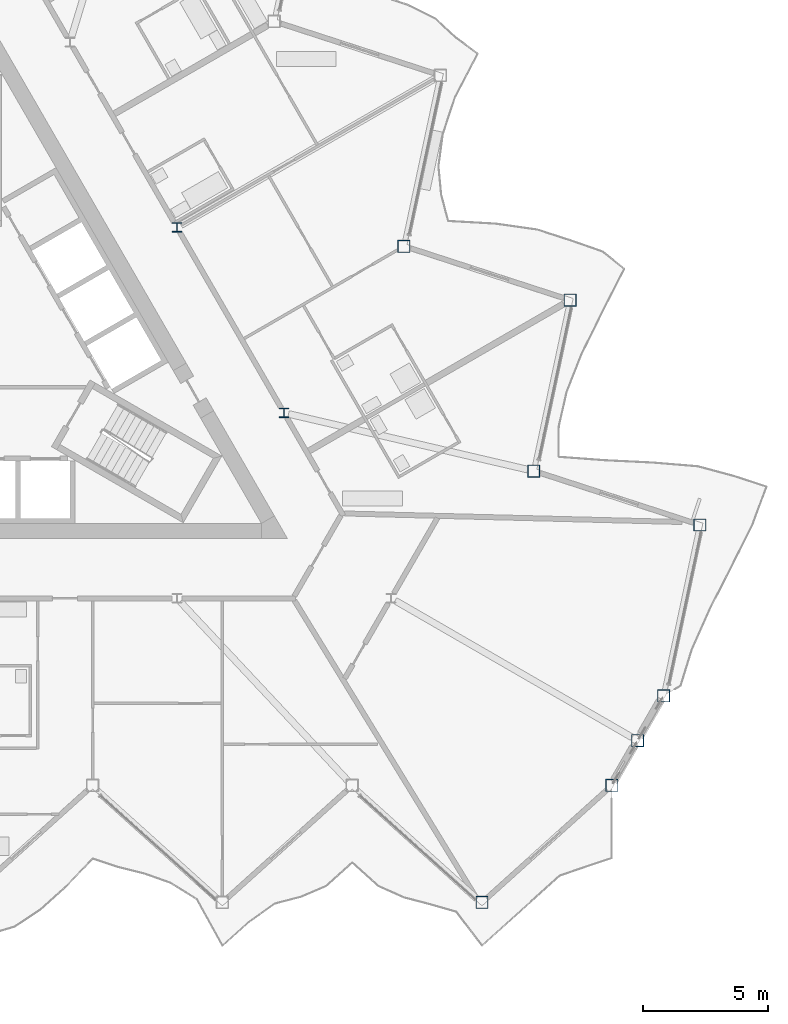
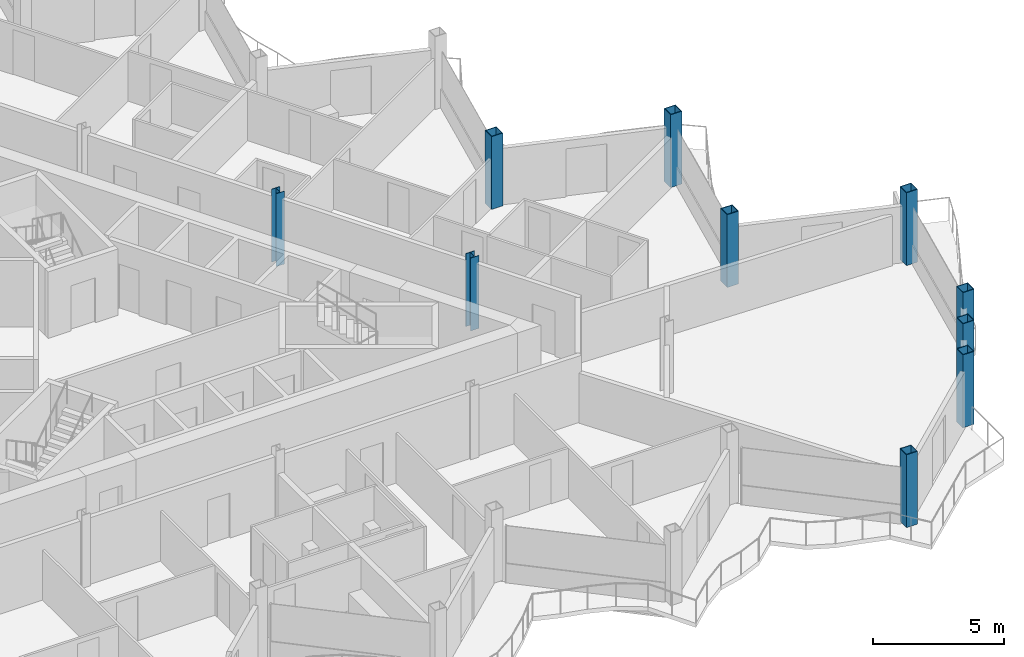
# One storey, part 2 of 26: 10 columns.
"""IFC4 building model written with IfcOpenShell, lengths in metres."""

from ifc_helpers import new_model, si_unit, direction, frame, origin, origin_2d, place, context, subcontext, project, spatial, hollow_rectangle, i_section, extrude, material, material_profile, profile_set, type_object, element, save


model = new_model("IFC4")

# Units and contexts
model_context = context("Model", 3, precision=1e-05, world=origin(), true_north=direction((0.0, 1.0)))
body_context = subcontext(model_context, "Body", "Model", "MODEL_VIEW")
ifc_project = project(units=[si_unit("LENGTHUNIT", "METRE"), si_unit("AREAUNIT", "SQUARE_METRE"), si_unit("VOLUMEUNIT", "CUBIC_METRE"), si_unit("PLANEANGLEUNIT", "RADIAN"), si_unit("MASSUNIT", "GRAM", prefix="KILO")], contexts=[model_context])

# Site, building, storey
site_placement = place(None, origin())
site = spatial("IfcSite", under=ifc_project, at=site_placement, CompositionType="ELEMENT")
building_placement = place(site_placement, origin())
building = spatial("IfcBuilding", under=site, at=building_placement, Name="Cormorant Prow Tower", CompositionType="ELEMENT")
storey_placement = place(building_placement, frame((0.0, 0.0, 398.39990234375)))
storey = spatial("IfcBuildingStorey", under=building, at=storey_placement, Name="L91", CompositionType="ELEMENT", Elevation=398.39990234375)

# Columns
ifc_material_1 = material(Name="Structural steel ASTM A572 Gr 50", Category="steel")
ifc_material_profile_1 = material_profile(ifc_material_1, hollow_rectangle(XDim=0.5, YDim=0.5, WallThickness=0.030029296875, at=origin_2d()), Name="Box 500x500x30")
ifc_profile_set_1 = profile_set([ifc_material_profile_1], Name="Structural steel ASTM A572 Gr 50")
column_type_1 = type_object("IfcColumnType", Name="Perimeter box column 500x500x30", PredefinedType="COLUMN", material=ifc_profile_set_1)
for number, where, z_axis, x_axis, name in (
    (1, (20.800048828125, -22.087890625, 0.0), (0.0, 0.0, 1.0), (1.0, 0.0, 0.0), "Perimeter column C7 at S09 L91"),
    (2, (26.0, -17.40576171875, 0.0), (0.0, 0.0, 1.0), (1.0, 0.0, 0.0), "Perimeter column C7 at ESE00 L91"),
    (3, (27.036865234375, -15.60986328125, 0.0), (0.0, 0.0, 1.0), (1.0, 0.0, 0.0), "Perimeter column C7 at ESE01 L91"),
    (4, (28.07373046875, -13.813720703125, 0.0), (0.0, 0.0, 1.0), (1.0, 0.0, 0.0), "Perimeter column C7 at ENE00 L91"),
    (5, (29.528564453125, -6.969482421875, 0.0), (0.0, 0.0, 1.0), (1.0, 0.0, 0.0), "Perimeter column C7 at ENE01 L91"),
    (6, (22.873779296875, -4.80712890625, 0.0), (0.0, 0.0, 1.0), (1.0, 0.0, 0.0), "Perimeter column C7 at ENE02 L91"),
    (7, (24.32861328125, 2.037353515625, 0.0), (0.0, 0.0, 1.0), (1.0, 0.0, 0.0), "Perimeter column C7 at ENE03 L91"),
    (8, (17.673828125, 4.199462890625, 0.0), (0.0, 0.0, 1.0), (1.0, 0.0, 0.0), "Perimeter column C7 at ENE04 L91"),
):
    element("IfcColumn", number, at=place(storey_placement, frame(where, z_axis=z_axis, x_axis=x_axis)), inside=storey, type_object=column_type_1, Name=name, PredefinedType="COLUMN", context=body_context, shape_type="SweptSolid", body=[
        extrude(hollow_rectangle(XDim=0.5, YDim=0.5, WallThickness=0.030029296875, at=origin_2d()), origin(), (0.0, 0.0, 1.0), 3.400146484375),
    ])
ifc_material_2 = material(Name="Structural steel ASTM A992 Gr 50", Category="steel")
ifc_material_profile_2 = material_profile(ifc_material_2, i_section(OverallWidth=0.3740234375, OverallDepth=0.372314453125, WebThickness=0.016357421875, FlangeThickness=0.026123046875, at=origin_2d()), Name="W14x132")
ifc_profile_set_2 = profile_set([ifc_material_profile_2], Name="Structural steel ASTM A992 Gr 50")
column_type_2 = type_object("IfcColumnType", Name="Ring column W14x132", PredefinedType="COLUMN", material=ifc_profile_set_2)
for number, where, z_axis, x_axis, name in (
    (9, (12.86767578125, -2.476318359375, 0.0), (0.0, 0.0, 1.0), (1.0, 0.0, 0.0), "Ring column 10 L91"),
    (10, (8.578369140625, 4.952880859375, 0.0), (0.0, 0.0, 1.0), (1.0, 0.0, 0.0), "Ring column 11 L91"),
):
    element("IfcColumn", number, at=place(storey_placement, frame(where, z_axis=z_axis, x_axis=x_axis)), inside=storey, type_object=column_type_2, Name=name, PredefinedType="COLUMN", context=body_context, shape_type="SweptSolid", body=[
        extrude(i_section(OverallWidth=0.3740234375, OverallDepth=0.372314453125, WebThickness=0.016357421875, FlangeThickness=0.026123046875, at=origin_2d()), origin(), (0.0, 0.0, 1.0), 3.400146484375),
    ])

save(model, "model.ifc")
